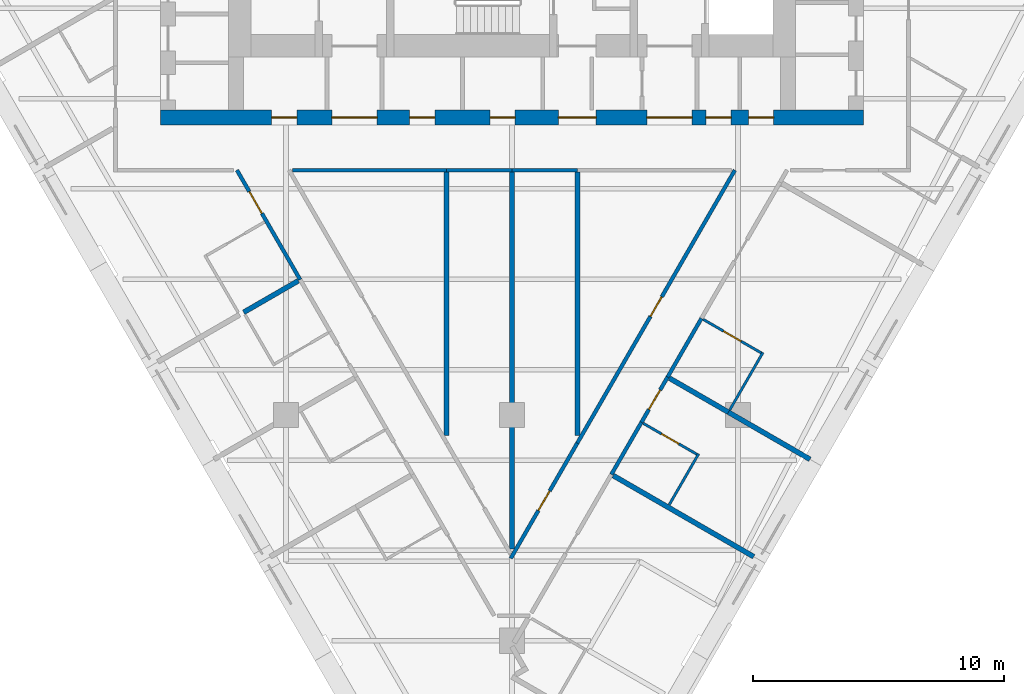
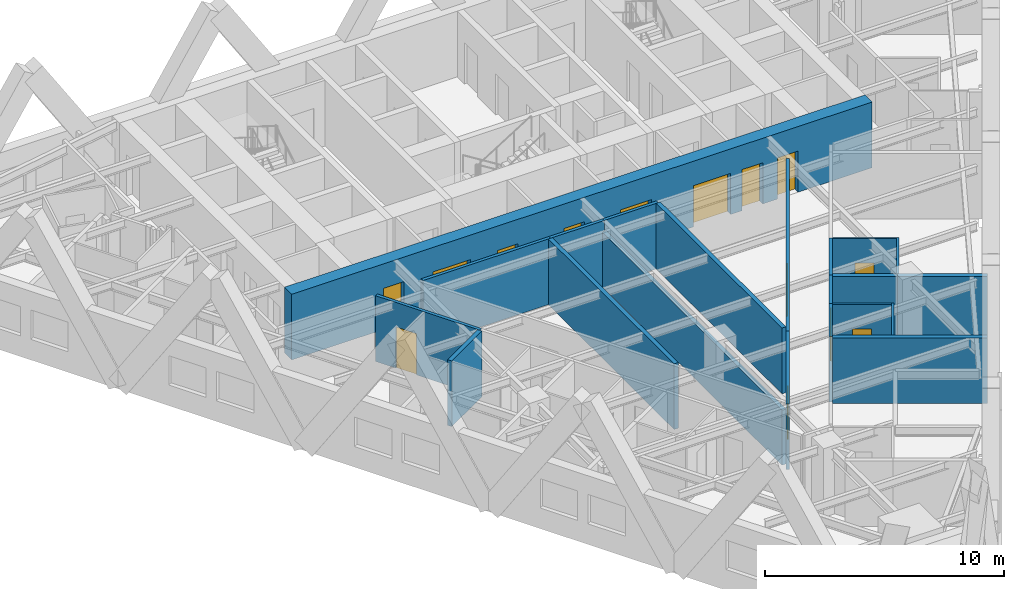
# One storey, part 4 of 11: 21 walls, 14 doors, 14 openings.
"""IFC4 building model written with IfcOpenShell, lengths in metres."""

import ifcopenshell
import ifcopenshell.guid

model = None  # the IFC model being written
_history = None  # IfcOwnerHistory: only IFC2X3 demands one
_inside = {}  # id of a spatial element -> (the spatial element, [elements in it])
_under = {}  # id of a project, library or spatial element -> (it, [spatial elements below it])
_declared = {}  # id of a project -> (the project, [libraries it declares])
_typed = {}  # id of a type object -> (the type object, [elements of that type])
_made_of = {}  # id of a material, layer set ... -> (it, [elements and type objects made of it])


def new_model(schema):
    """Start an empty IFC model of exactly this schema.

    Asked for "IFC4X3", IfcOpenShell would pick the latest addendum, in which some entities
    have other attributes; the version numbers below select the first issue.
    IFC2X3 requires an IfcOwnerHistory on every rooted entity: one is made here for all.
    """
    global model, _history
    if schema == "IFC4X3":
        model = ifcopenshell.file(schema_version=(4, 3, 0, 0))
    else:
        model = ifcopenshell.file(schema=schema)
    _inside.clear()
    _under.clear()
    _declared.clear()
    _typed.clear()
    _made_of.clear()
    _history = None
    if model.schema == "IFC2X3":
        org = make("IfcOrganization", Name="unknown")
        user = make(
            "IfcPersonAndOrganization",
            ThePerson=make("IfcPerson", FamilyName="unknown"),
            TheOrganization=org,
        )
        app = make(
            "IfcApplication",
            ApplicationDeveloper=org,
            Version="unknown",
            ApplicationFullName="unknown",
            ApplicationIdentifier="unknown",
        )
        _history = make(
            "IfcOwnerHistory",
            OwningUser=user,
            OwningApplication=app,
            ChangeAction="ADDED",
            CreationDate=0,
        )
    return model


def make(cls, **values):
    """One entity of the class cls with the attributes given. An attribute that is None is left unset."""
    return model.create_entity(
        cls, **{name: value for name, value in values.items() if value is not None}
    )


def rooted(cls, **values):
    """An entity with a GlobalId (a new one), such as an element, a storey or a relation."""
    return make(cls, GlobalId=ifcopenshell.guid.new(), OwnerHistory=_history, **values)


def si_unit(unit_type, name, prefix=None):
    """IfcSIUnit, for example si_unit("LENGTHUNIT", "METRE", prefix="MILLI")."""
    return make("IfcSIUnit", UnitType=unit_type, Prefix=prefix, Name=name)


def assignment(units):
    """IfcUnitAssignment: the units of a project."""
    return None if units is None else make("IfcUnitAssignment", Units=units)


def point(xyz):
    """IfcCartesianPoint."""
    return None if xyz is None else make("IfcCartesianPoint", Coordinates=xyz)


def direction(xyz):
    """IfcDirection."""
    return None if xyz is None else make("IfcDirection", DirectionRatios=xyz)


def frame(location, z_axis=None, x_axis=None):
    """IfcAxis2Placement3D, a coordinate frame: its origin and axes. An axis left out is left unset."""
    return make(
        "IfcAxis2Placement3D",
        Location=point(location),
        Axis=direction(z_axis),
        RefDirection=direction(x_axis),
    )


def frame_2d(location, x_axis=None):
    """IfcAxis2Placement2D, a coordinate frame in the plane: its origin and x axis."""
    return make(
        "IfcAxis2Placement2D", Location=point(location), RefDirection=direction(x_axis)
    )


def origin():
    """The frame at (0, 0, 0) with its axes left unset."""
    return frame((0.0, 0.0, 0.0))


def place(relative_to, where):
    """IfcLocalPlacement: puts the frame where relative to a parent placement (None: the world)."""
    return make(
        "IfcLocalPlacement", PlacementRelTo=relative_to, RelativePlacement=where
    )


def context(
    kind, dimensions, precision=None, world=None, true_north=None, identifier=None
):
    """IfcGeometricRepresentationContext, for example the 3D "Model" context."""
    return make(
        "IfcGeometricRepresentationContext",
        ContextIdentifier=identifier,
        ContextType=kind,
        CoordinateSpaceDimension=dimensions,
        Precision=precision,
        WorldCoordinateSystem=world,
        TrueNorth=true_north,
    )


def subcontext(parent, identifier, kind, view, scale=None):
    """IfcGeometricRepresentationSubContext, for example "Body" below "Model"."""
    return make(
        "IfcGeometricRepresentationSubContext",
        ContextIdentifier=identifier,
        ContextType=kind,
        ParentContext=parent,
        TargetScale=scale,
        TargetView=view,
    )


def project(units=None, contexts=None):
    """IfcProject with its units and contexts."""
    return rooted(
        "IfcProject",
        Name="project",
        RepresentationContexts=contexts,
        UnitsInContext=assignment(units),
    )


def spatial(cls, under=None, at=None, **own):
    """A site, building, storey or space (cls), placed at a placement, below another one or the project."""
    s = rooted(cls, ObjectPlacement=at, **own)
    if under is not None:
        _under.setdefault(under.id(), (under, []))[1].append(s)
    return s


def profile(cls, at=None, kind="AREA", **sizes):
    """A parametric profile (cls). Its sizes go by their IFC names, for example OverallWidth=200.0."""
    return make(cls, ProfileType=kind, Position=at, **sizes)


def rectangle(**sizes):
    """IfcRectangleProfileDef."""
    return profile("IfcRectangleProfileDef", **sizes)


def extrude(swept, where, along, depth):
    """IfcExtrudedAreaSolid: the profile swept, set in the frame where, extruded along a direction by depth."""
    return make(
        "IfcExtrudedAreaSolid",
        SweptArea=swept,
        Position=where,
        ExtrudedDirection=direction(along),
        Depth=depth,
    )


def shape(context_of_items, identifier, shape_type, items):
    """IfcShapeRepresentation: the items that make up one representation, for example the "Body"."""
    return make(
        "IfcShapeRepresentation",
        ContextOfItems=context_of_items,
        RepresentationIdentifier=identifier,
        RepresentationType=shape_type,
        Items=items,
    )


def material(Name=None, Category=None):
    """IfcMaterial."""
    return make("IfcMaterial", Name=Name, Category=Category)


def layer(
    of_material, thickness, ventilated=None, Name=None, Category=None, Priority=None
):
    """IfcMaterialLayer: one layer of a wall or slab, of a material (None: an air gap)."""
    return make(
        "IfcMaterialLayer",
        Material=of_material,
        LayerThickness=thickness,
        IsVentilated=ventilated,
        Name=Name,
        Category=Category,
        Priority=Priority,
    )


def layer_set(layers, Name=None):
    """IfcMaterialLayerSet."""
    return make("IfcMaterialLayerSet", MaterialLayers=layers, LayerSetName=Name)


def made_of(thing, what):
    """Note that an element or type object is made of a material, layer set ...; save() writes the relation."""
    if what is not None:
        _made_of.setdefault(what.id(), (what, []))[1].append(thing)
    return thing


def type_object(cls, material=None, **own):
    """A type object (cls), such as IfcWallType, which elements share."""
    return made_of(rooted(cls, **own), material)


def element(
    cls,
    number,
    at=None,
    inside=None,
    cuts=None,
    type_object=None,
    material=None,
    context=None,
    identifier="Body",
    shape_type=None,
    held_by="IfcProductDefinitionShape",
    body=None,
    shapes=None,
    **own,
):
    """One element of the class cls, such as IfcWall. Its Tag is "e" and its number.

    at: its placement. inside: the storey or other place that contains it. cuts: it is an
    opening in that element (IfcRelVoidsElement). A single representation is given by context,
    identifier, shape_type and body (its items); several are given by shapes. held_by: the class
    of the entity that holds the representations. save() writes the other relations.
    """
    e = rooted(cls, Tag="e%d" % number, ObjectPlacement=at, **own)
    if body is not None:
        shapes = [shape(context, identifier, shape_type, body)]
    if shapes is not None:
        e.Representation = make(held_by, Representations=shapes)
    if inside is not None:
        _inside.setdefault(inside.id(), (inside, []))[1].append(e)
    if cuts is not None:
        rooted(
            "IfcRelVoidsElement", RelatingBuildingElement=cuts, RelatedOpeningElement=e
        )
    if type_object is not None:
        _typed.setdefault(type_object.id(), (type_object, []))[1].append(e)
    return made_of(e, material)


def fill(opening, filler):
    """IfcRelFillsElement: the door or window that sits in an opening."""
    return rooted(
        "IfcRelFillsElement",
        RelatingOpeningElement=opening,
        RelatedBuildingElement=filler,
    )


def aggregate(whole, parts):
    """IfcRelAggregates: a whole, such as a stair, and the parts it consists of."""
    return rooted("IfcRelAggregates", RelatingObject=whole, RelatedObjects=parts)


def save(model, path):
    """Write the relations noted so far, then the file.

    IfcRelAggregates (storeys below a building ...), IfcRelContainedInSpatialStructure (elements
    in a storey), IfcRelDefinesByType, IfcRelAssociatesMaterial and IfcRelDeclares: one each for
    every whole, place, type object, material and project.
    """
    for whole, parts in _under.values():
        aggregate(whole, parts)
    for where, things in _inside.values():
        rooted(
            "IfcRelContainedInSpatialStructure",
            RelatedElements=things,
            RelatingStructure=where,
        )
    for kind, things in _typed.values():
        rooted("IfcRelDefinesByType", RelatedObjects=things, RelatingType=kind)
    for what, things in _made_of.values():
        rooted("IfcRelAssociatesMaterial", RelatedObjects=things, RelatingMaterial=what)
    for by, libraries in _declared.values():
        rooted("IfcRelDeclares", RelatingContext=by, RelatedDefinitions=libraries)
    model.write(path)


model = new_model("IFC4")

# Units and contexts
model_context = context("Model", 3, precision=1e-05, world=origin(), true_north=direction((0.0, 1.0)))
body_context = subcontext(model_context, "Body", "Model", "MODEL_VIEW")
ifc_project = project(units=[si_unit("LENGTHUNIT", "METRE"), si_unit("AREAUNIT", "SQUARE_METRE"), si_unit("VOLUMEUNIT", "CUBIC_METRE"), si_unit("PLANEANGLEUNIT", "RADIAN"), si_unit("MASSUNIT", "GRAM", prefix="KILO")], contexts=[model_context])

# Site, building, storey
site_placement = place(None, origin())
site = spatial("IfcSite", under=ifc_project, at=site_placement, CompositionType="ELEMENT")
building_placement = place(site_placement, origin())
building = spatial("IfcBuilding", under=site, at=building_placement, Name="Aloe Facet Convention Tower", CompositionType="ELEMENT")
storey_placement = place(building_placement, frame((0.0, 0.0, 63.0)))
storey = spatial("IfcBuildingStorey", under=building, at=storey_placement, Name="L14", CompositionType="ELEMENT", Elevation=63.0)

# Wall, openings, doors
ifc_material_1 = material(Name="Concrete C80/95", Category="concrete")
ifc_layer_1 = layer(ifc_material_1, 0.60009765625)
ifc_layer_set_1 = layer_set([ifc_layer_1], Name="CR-W-RC600-C8095")
wall_type_1 = type_object("IfcWallType", Name="CR-W-RC600-C8095", PredefinedType="SOLIDWALL", material=ifc_layer_set_1)
wall_1_placement = place(storey_placement, frame((66.0, 119.85009765625, 0.0), z_axis=(0.0, 0.0, 1.0), x_axis=(1.0, 0.0, 0.0)))
wall_1 = element("IfcWall", 1, at=wall_1_placement, inside=storey, type_object=wall_type_1, Name="Core wall L14-003", PredefinedType="SOLIDWALL", context=body_context, shape_type="SweptSolid", body=[
    extrude(rectangle(XDim=28.0, YDim=0.60009765625, at=frame_2d((14.0, 0.0))), origin(), (0.0, 0.0, 1.0), 3.35009765625),
])
opening_1_placement = place(wall_1_placement, frame((6.824951171875, 0.0, 0.0)))
opening_1 = element("IfcOpeningElement", 2, at=opening_1_placement, cuts=wall_1, Name="Opening L14-CD17", PredefinedType="OPENING", context=body_context, shape_type="SweptSolid", body=[
    extrude(rectangle(XDim=1.800048828125, YDim=2.10009765625, at=frame_2d((0.89990234375, 1.050048828125))), frame((0.0, 0.31005859375, 0.0), z_axis=(0.0, -1.0, 0.0), x_axis=(1.0, 0.0, 0.0)), (0.0, 0.0, 1.0), 0.6201171875),
])
opening_2_placement = place(wall_1_placement, frame((15.85009765625, 0.0, 0.0)))
opening_2 = element("IfcOpeningElement", 3, at=opening_2_placement, cuts=wall_1, Name="Opening L14-CD18", PredefinedType="OPENING", context=body_context, shape_type="SweptSolid", body=[
    extrude(rectangle(XDim=1.5, YDim=2.10009765625, at=frame_2d((0.75, 1.050048828125))), frame((0.0, 0.31005859375, 0.0), z_axis=(0.0, -1.0, 0.0), x_axis=(1.0, 0.0, 0.0)), (0.0, 0.0, 1.0), 0.6201171875),
])
opening_3_placement = place(wall_1_placement, frame((19.375, 0.0, 0.0)))
opening_3 = element("IfcOpeningElement", 4, at=opening_3_placement, cuts=wall_1, Name="Opening L14-CD19", PredefinedType="OPENING", context=body_context, shape_type="SweptSolid", body=[
    extrude(rectangle(XDim=1.800048828125, YDim=2.10009765625, at=frame_2d((0.89990234375, 1.050048828125))), frame((0.0, 0.31005859375, 0.0), z_axis=(0.0, -1.0, 0.0), x_axis=(1.0, 0.0, 0.0)), (0.0, 0.0, 1.0), 0.6201171875),
])
opening_4_placement = place(wall_1_placement, frame((4.425048828125, 0.0, 0.0)))
opening_4 = element("IfcOpeningElement", 5, at=opening_4_placement, cuts=wall_1, Name="Opening L14-CD24", PredefinedType="OPENING", context=body_context, shape_type="SweptSolid", body=[
    extrude(rectangle(XDim=1.0, YDim=2.10009765625, at=frame_2d((0.5, 1.050048828125))), frame((0.0, 0.31005859375, 0.0), z_axis=(0.0, -1.0, 0.0), x_axis=(1.0, 0.0, 0.0)), (0.0, 0.0, 1.0), 0.6201171875),
])
opening_5_placement = place(wall_1_placement, frame((9.925048828125, 0.0, 0.0)))
opening_5 = element("IfcOpeningElement", 6, at=opening_5_placement, cuts=wall_1, Name="Opening L14-CD25", PredefinedType="OPENING", context=body_context, shape_type="SweptSolid", body=[
    extrude(rectangle(XDim=1.0, YDim=2.10009765625, at=frame_2d((0.5, 1.050048828125))), frame((0.0, 0.31005859375, 0.0), z_axis=(0.0, -1.0, 0.0), x_axis=(1.0, 0.0, 0.0)), (0.0, 0.0, 1.0), 0.6201171875),
])
opening_6_placement = place(wall_1_placement, frame((13.125, 0.0, 0.0)))
opening_6 = element("IfcOpeningElement", 7, at=opening_6_placement, cuts=wall_1, Name="Opening L14-CD26", PredefinedType="OPENING", context=body_context, shape_type="SweptSolid", body=[
    extrude(rectangle(XDim=1.0, YDim=2.10009765625, at=frame_2d((0.5, 1.050048828125))), frame((0.0, 0.31005859375, 0.0), z_axis=(0.0, -1.0, 0.0), x_axis=(1.0, 0.0, 0.0)), (0.0, 0.0, 1.0), 0.6201171875),
])
opening_7_placement = place(wall_1_placement, frame((21.72509765625, 0.0, 0.0)))
opening_7 = element("IfcOpeningElement", 8, at=opening_7_placement, cuts=wall_1, Name="Opening L14-CD28", PredefinedType="OPENING", context=body_context, shape_type="SweptSolid", body=[
    extrude(rectangle(XDim=1.0, YDim=2.10009765625, at=frame_2d((0.5, 1.050048828125))), frame((0.0, 0.31005859375, 0.0), z_axis=(0.0, -1.0, 0.0), x_axis=(1.0, 0.0, 0.0)), (0.0, 0.0, 1.0), 0.6201171875),
])
opening_8_placement = place(wall_1_placement, frame((23.425048828125, 0.0, 0.0)))
opening_8 = element("IfcOpeningElement", 9, at=opening_8_placement, cuts=wall_1, Name="Opening L14-CD29", PredefinedType="OPENING", context=body_context, shape_type="SweptSolid", body=[
    extrude(rectangle(XDim=1.0, YDim=2.10009765625, at=frame_2d((0.5, 1.050048828125))), frame((0.0, 0.31005859375, 0.0), z_axis=(0.0, -1.0, 0.0), x_axis=(1.0, 0.0, 0.0)), (0.0, 0.0, 1.0), 0.6201171875),
])
ifc_material_2 = material(Name="Steel fire-resisting door set FD60", Category="steel")
door_type_1 = type_object("IfcDoorType", Name="CR-D-EXIT-1500-FD60-DD", OperationType="DOUBLE_DOOR_DOUBLE_SWING", PredefinedType="DOOR", material=ifc_material_2)
door_1_placement = place(opening_2_placement, origin())
door_1 = element("IfcDoor", 10, at=door_1_placement, inside=storey, type_object=door_type_1, Name="Core door L14-CD18", OperationType="DOUBLE_DOOR_DOUBLE_SWING", OverallHeight=2.10009765625, OverallWidth=1.5, PredefinedType="DOOR", context=body_context, shape_type="SweptSolid", body=[
    extrude(rectangle(XDim=1.5, YDim=2.10009765625, at=frame_2d((0.75, 1.050048828125))), frame((0.0, 0.02490234375, 0.0), z_axis=(0.0, -1.0, 0.0), x_axis=(1.0, 0.0, 0.0)), (0.0, 0.0, 1.0), 0.050048828125),
])
fill(opening_2, door_1)
ifc_material_3 = material(Name="Steel fire-resisting door set FD60", Category="steel")
door_type_2 = type_object("IfcDoorType", Name="CR-D-EXIT-1800-FD60-DD", OperationType="DOUBLE_DOOR_DOUBLE_SWING", PredefinedType="DOOR", material=ifc_material_3)
door_2_placement = place(opening_1_placement, origin())
door_2 = element("IfcDoor", 11, at=door_2_placement, inside=storey, type_object=door_type_2, Name="Core door L14-CD17", OperationType="DOUBLE_DOOR_DOUBLE_SWING", OverallHeight=2.10009765625, OverallWidth=1.800048828125, PredefinedType="DOOR", context=body_context, shape_type="SweptSolid", body=[
    extrude(rectangle(XDim=1.800048828125, YDim=2.10009765625, at=frame_2d((0.89990234375, 1.050048828125))), frame((0.0, 0.02490234375, 0.0), z_axis=(0.0, -1.0, 0.0), x_axis=(1.0, 0.0, 0.0)), (0.0, 0.0, 1.0), 0.050048828125),
])
fill(opening_1, door_2)
door_3_placement = place(opening_3_placement, origin())
door_3 = element("IfcDoor", 12, at=door_3_placement, inside=storey, type_object=door_type_2, Name="Core door L14-CD19", OperationType="DOUBLE_DOOR_DOUBLE_SWING", OverallHeight=2.10009765625, OverallWidth=1.800048828125, PredefinedType="DOOR", context=body_context, shape_type="SweptSolid", body=[
    extrude(rectangle(XDim=1.800048828125, YDim=2.10009765625, at=frame_2d((0.89990234375, 1.050048828125))), frame((0.0, 0.02490234375, 0.0), z_axis=(0.0, -1.0, 0.0), x_axis=(1.0, 0.0, 0.0)), (0.0, 0.0, 1.0), 0.050048828125),
])
fill(opening_3, door_3)
ifc_material_4 = material(Name="Steel fire-resisting door set FD60", Category="steel")
door_type_3 = type_object("IfcDoorType", Name="CR-D-ROOM-1000-FD60-SRIGHT", OperationType="SINGLE_SWING_RIGHT", PredefinedType="DOOR", material=ifc_material_4)
door_4_placement = place(opening_4_placement, origin())
door_4 = element("IfcDoor", 13, at=door_4_placement, inside=storey, type_object=door_type_3, Name="Core door L14-CD24", OperationType="SINGLE_SWING_RIGHT", OverallHeight=2.10009765625, OverallWidth=1.0, PredefinedType="DOOR", context=body_context, shape_type="SweptSolid", body=[
    extrude(rectangle(XDim=1.0, YDim=2.10009765625, at=frame_2d((0.5, 1.050048828125))), frame((0.0, 0.02490234375, 0.0), z_axis=(0.0, -1.0, 0.0), x_axis=(1.0, 0.0, 0.0)), (0.0, 0.0, 1.0), 0.050048828125),
])
fill(opening_4, door_4)
door_5_placement = place(opening_5_placement, origin())
door_5 = element("IfcDoor", 14, at=door_5_placement, inside=storey, type_object=door_type_3, Name="Core door L14-CD25", OperationType="SINGLE_SWING_RIGHT", OverallHeight=2.10009765625, OverallWidth=1.0, PredefinedType="DOOR", context=body_context, shape_type="SweptSolid", body=[
    extrude(rectangle(XDim=1.0, YDim=2.10009765625, at=frame_2d((0.5, 1.050048828125))), frame((0.0, 0.02490234375, 0.0), z_axis=(0.0, -1.0, 0.0), x_axis=(1.0, 0.0, 0.0)), (0.0, 0.0, 1.0), 0.050048828125),
])
fill(opening_5, door_5)
door_6_placement = place(opening_6_placement, origin())
door_6 = element("IfcDoor", 15, at=door_6_placement, inside=storey, type_object=door_type_3, Name="Core door L14-CD26", OperationType="SINGLE_SWING_RIGHT", OverallHeight=2.10009765625, OverallWidth=1.0, PredefinedType="DOOR", context=body_context, shape_type="SweptSolid", body=[
    extrude(rectangle(XDim=1.0, YDim=2.10009765625, at=frame_2d((0.5, 1.050048828125))), frame((0.0, 0.02490234375, 0.0), z_axis=(0.0, -1.0, 0.0), x_axis=(1.0, 0.0, 0.0)), (0.0, 0.0, 1.0), 0.050048828125),
])
fill(opening_6, door_6)
door_7_placement = place(opening_7_placement, origin())
door_7 = element("IfcDoor", 16, at=door_7_placement, inside=storey, type_object=door_type_3, Name="Core door L14-CD28", OperationType="SINGLE_SWING_RIGHT", OverallHeight=2.10009765625, OverallWidth=1.0, PredefinedType="DOOR", context=body_context, shape_type="SweptSolid", body=[
    extrude(rectangle(XDim=1.0, YDim=2.10009765625, at=frame_2d((0.5, 1.050048828125))), frame((0.0, 0.02490234375, 0.0), z_axis=(0.0, -1.0, 0.0), x_axis=(1.0, 0.0, 0.0)), (0.0, 0.0, 1.0), 0.050048828125),
])
fill(opening_7, door_7)
door_8_placement = place(opening_8_placement, origin())
door_8 = element("IfcDoor", 17, at=door_8_placement, inside=storey, type_object=door_type_3, Name="Core door L14-CD29", OperationType="SINGLE_SWING_RIGHT", OverallHeight=2.10009765625, OverallWidth=1.0, PredefinedType="DOOR", context=body_context, shape_type="SweptSolid", body=[
    extrude(rectangle(XDim=1.0, YDim=2.10009765625, at=frame_2d((0.5, 1.050048828125))), frame((0.0, 0.02490234375, 0.0), z_axis=(0.0, -1.0, 0.0), x_axis=(1.0, 0.0, 0.0)), (0.0, 0.0, 1.0), 0.050048828125),
])
fill(opening_8, door_8)

# Wall, opening, door
ifc_material_5 = material(Name="Gypsum board partition on steel studs", Category="steel")
ifc_layer_2 = layer(ifc_material_5, 0.14990234375)
ifc_layer_set_2 = layer_set([ifc_layer_2], Name="IN-W-CORR")
wall_type_2 = type_object("IfcWallType", Name="IN-W-CORR", PredefinedType="PARTITIONING", material=ifc_layer_set_2)
wall_2_placement = place(storey_placement, frame((79.949951171875, 102.283935546875, 0.0), z_axis=(0.0, 0.0, 1.0), x_axis=(0.500026712466, 0.866009980786, 0.0)))
wall_2 = element("IfcWall", 18, at=wall_2_placement, inside=storey, type_object=wall_type_2, Name="Partition L14-W014", PredefinedType="PARTITIONING", context=body_context, shape_type="SweptSolid", body=[
    extrude(rectangle(XDim=5.302001953125, YDim=0.14990234375, at=frame_2d((2.65087890625, 0.0))), origin(), (0.0, 0.0, 1.0), 3.35009765625),
])
opening_9_placement = place(wall_2_placement, frame((2.200927734375, 0.0, 0.0)))
opening_9 = element("IfcOpeningElement", 19, at=opening_9_placement, cuts=wall_2, Name="Opening L14-016", PredefinedType="OPENING", context=body_context, shape_type="SweptSolid", body=[
    extrude(rectangle(XDim=0.89990234375, YDim=2.10009765625, at=frame_2d((0.449951171875, 1.050048828125))), frame((0.0, 0.0849609375, 0.0), z_axis=(0.0, -1.0, 0.0), x_axis=(1.0, 0.0, 0.0)), (0.0, 0.0, 1.0), 0.169921875),
])
ifc_material_6 = material(Name="Hardwood flush door FD30S", Category="wood")
door_type_4 = type_object("IfcDoorType", Name="IN-D-GUEST", OperationType="SINGLE_SWING_LEFT", PredefinedType="DOOR", material=ifc_material_6)
door_9_placement = place(opening_9_placement, origin())
door_9 = element("IfcDoor", 20, at=door_9_placement, inside=storey, type_object=door_type_4, Name="Door L14-016", OperationType="SINGLE_SWING_LEFT", OverallHeight=2.10009765625, OverallWidth=0.89990234375, PredefinedType="DOOR", context=body_context, shape_type="SweptSolid", body=[
    extrude(rectangle(XDim=0.89990234375, YDim=2.10009765625, at=frame_2d((0.449951171875, 1.050048828125))), frame((0.0, 0.02490234375, 0.0), z_axis=(0.0, -1.0, 0.0), x_axis=(1.0, 0.0, 0.0)), (0.0, 0.0, 1.0), 0.050048828125),
])
fill(opening_9, door_9)

# Wall
wall_3_placement = place(storey_placement, frame((83.957763671875, 105.625732421875, 0.0), z_axis=(0.0, 0.0, 1.0), x_axis=(0.500001309137, 0.866024647952, 0.0)))
element("IfcWall", 21, at=wall_3_placement, inside=storey, type_object=wall_type_2, Name="Partition L14-W025", PredefinedType="PARTITIONING", context=body_context, shape_type="SweptSolid", body=[
    extrude(rectangle(XDim=2.39990234375, YDim=0.14990234375, at=frame_2d((1.199951171875, 0.0))), origin(), (0.0, 0.0, 1.0), 3.35009765625),
])

# Wall, opening, door
wall_4_placement = place(storey_placement, frame((82.60107421875, 106.87548828125, 0.0), z_axis=(0.0, 0.0, 1.0), x_axis=(0.499995104884, 0.866028229963, 0.0)))
wall_4 = element("IfcWall", 22, at=wall_4_placement, inside=storey, type_object=wall_type_2, Name="Partition L14-W033", PredefinedType="PARTITIONING", context=body_context, shape_type="SweptSolid", body=[
    extrude(rectangle(XDim=12.556884765625, YDim=0.14990234375, at=frame_2d((6.2783203125, 0.0))), origin(), (0.0, 0.0, 1.0), 3.35009765625),
])
opening_10_placement = place(wall_4_placement, frame((5.828369140625, 0.0, 0.0)))
opening_10 = element("IfcOpeningElement", 23, at=opening_10_placement, cuts=wall_4, Name="Opening L14-017", PredefinedType="OPENING", context=body_context, shape_type="SweptSolid", body=[
    extrude(rectangle(XDim=0.89990234375, YDim=2.10009765625, at=frame_2d((0.449951171875, 1.050048828125))), frame((0.0, 0.0849609375, 0.0), z_axis=(0.0, -1.0, 0.0), x_axis=(1.0, 0.0, 0.0)), (0.0, 0.0, 1.0), 0.169921875),
])
door_10_placement = place(opening_10_placement, origin())
door_10 = element("IfcDoor", 24, at=door_10_placement, inside=storey, type_object=door_type_4, Name="Door L14-017", OperationType="SINGLE_SWING_LEFT", OverallHeight=2.10009765625, OverallWidth=0.89990234375, PredefinedType="DOOR", context=body_context, shape_type="SweptSolid", body=[
    extrude(rectangle(XDim=0.89990234375, YDim=2.10009765625, at=frame_2d((0.449951171875, 1.050048828125))), frame((0.0, 0.02490234375, 0.0), z_axis=(0.0, -1.0, 0.0), x_axis=(1.0, 0.0, 0.0)), (0.0, 0.0, 1.0), 0.050048828125),
])
fill(opening_10, door_10)

wall_5_placement = place(storey_placement, frame((85.15771484375, 107.7041015625, 0.0), z_axis=(0.0, 0.0, 1.0), x_axis=(0.500027264788, 0.866009661879, 0.0)))
wall_5 = element("IfcWall", 25, at=wall_5_placement, inside=storey, type_object=wall_type_2, Name="Partition L14-W042", PredefinedType="PARTITIONING", context=body_context, shape_type="SweptSolid", body=[
    extrude(rectangle(XDim=2.080078125, YDim=0.14990234375, at=frame_2d((1.0400390625, 0.0))), origin(), (0.0, 0.0, 1.0), 3.35009765625),
])
opening_11_placement = place(wall_5_placement, frame((0.590087890625, 0.0, 0.0)))
opening_11 = element("IfcOpeningElement", 26, at=opening_11_placement, cuts=wall_5, Name="Opening L14-010", PredefinedType="OPENING", context=body_context, shape_type="SweptSolid", body=[
    extrude(rectangle(XDim=0.89990234375, YDim=2.10009765625, at=frame_2d((0.449951171875, 1.050048828125))), frame((0.0, 0.0849609375, 0.0), z_axis=(0.0, -1.0, 0.0), x_axis=(1.0, 0.0, 0.0)), (0.0, 0.0, 1.0), 0.169921875),
])
door_11_placement = place(opening_11_placement, origin())
door_11 = element("IfcDoor", 27, at=door_11_placement, inside=storey, type_object=door_type_4, Name="Door L14-010", OperationType="SINGLE_SWING_LEFT", OverallHeight=2.10009765625, OverallWidth=0.89990234375, PredefinedType="DOOR", context=body_context, shape_type="SweptSolid", body=[
    extrude(rectangle(XDim=0.89990234375, YDim=2.10009765625, at=frame_2d((0.449951171875, 1.050048828125))), frame((0.0, 0.02490234375, 0.0), z_axis=(0.0, -1.0, 0.0), x_axis=(1.0, 0.0, 0.0)), (0.0, 0.0, 1.0), 0.050048828125),
])
fill(opening_11, door_11)

# Wall
wall_6_placement = place(storey_placement, frame((86.19775390625, 109.50537109375, 0.0), z_axis=(0.0, 0.0, 1.0), x_axis=(0.50000943426, 0.866019956843, 0.0)))
element("IfcWall", 28, at=wall_6_placement, inside=storey, type_object=wall_type_2, Name="Partition L14-W043", PredefinedType="PARTITIONING", context=body_context, shape_type="SweptSolid", body=[
    extrude(rectangle(XDim=2.7001953125, YDim=0.14990234375, at=frame_2d((1.35009765625, 0.0))), origin(), (0.0, 0.0, 1.0), 3.35009765625),
])

# Wall, opening, door
wall_7_placement = place(storey_placement, frame((69.042236328125, 117.75, 0.0), z_axis=(0.0, 0.0, 1.0), x_axis=(0.500004791531, -0.866022637375, 0.0)))
wall_7 = element("IfcWall", 29, at=wall_7_placement, inside=storey, type_object=wall_type_2, Name="Partition L14-W053", PredefinedType="PARTITIONING", context=body_context, shape_type="SweptSolid", body=[
    extrude(rectangle(XDim=5.0400390625, YDim=0.14990234375, at=frame_2d((2.52001953125, 0.0))), origin(), (0.0, 0.0, 1.0), 3.35009765625),
])
opening_12_placement = place(wall_7_placement, frame((0.988037109375, 0.0, 0.0)))
opening_12 = element("IfcOpeningElement", 30, at=opening_12_placement, cuts=wall_7, Name="Opening L14-005", PredefinedType="OPENING", context=body_context, shape_type="SweptSolid", body=[
    extrude(rectangle(XDim=1.0, YDim=2.10009765625, at=frame_2d((0.5, 1.050048828125))), frame((0.0, 0.0849609375, 0.0), z_axis=(0.0, -1.0, 0.0), x_axis=(1.0, 0.0, 0.0)), (0.0, 0.0, 1.0), 0.169921875),
])
ifc_material_7 = material(Name="Hardwood flush door FD30S", Category="wood")
door_type_5 = type_object("IfcDoorType", Name="IN-D-WIDE", OperationType="SINGLE_SWING_LEFT", PredefinedType="DOOR", material=ifc_material_7)
door_12_placement = place(opening_12_placement, origin())
door_12 = element("IfcDoor", 31, at=door_12_placement, inside=storey, type_object=door_type_5, Name="Door L14-005", OperationType="SINGLE_SWING_LEFT", OverallHeight=2.10009765625, OverallWidth=1.0, PredefinedType="DOOR", context=body_context, shape_type="SweptSolid", body=[
    extrude(rectangle(XDim=1.0, YDim=2.10009765625, at=frame_2d((0.5, 1.050048828125))), frame((0.0, 0.02490234375, 0.0), z_axis=(0.0, -1.0, 0.0), x_axis=(1.0, 0.0, 0.0)), (0.0, 0.0, 1.0), 0.050048828125),
])
fill(opening_12, door_12)

# Walls
wall_8_placement = place(storey_placement, frame((71.25048828125, 117.75, 0.0), z_axis=(0.0, 0.0, 1.0), x_axis=(1.0, 0.0, 0.0)))
element("IfcWall", 32, at=wall_8_placement, inside=storey, type_object=wall_type_2, Name="Partition L14-W063", PredefinedType="PARTITIONING", context=body_context, shape_type="SweptSolid", body=[
    extrude(rectangle(XDim=6.1484375, YDim=0.14990234375, at=frame_2d((3.07421875, 0.0))), origin(), (0.0, 0.0, 1.0), 3.35009765625),
])
for number, where, z_axis, x_axis, name in (
    (33, (77.39892578125, 117.75, 0.0), (0.0, 0.0, 1.0), (1.0, 0.0, 0.0), "Partition L14-W064"),
    (34, (80.0, 117.75, 0.0), (0.0, 0.0, 1.0), (1.0, 0.0, 0.0), "Partition L14-W065"),
):
    element("IfcWall", number, at=place(storey_placement, frame(where, z_axis=z_axis, x_axis=x_axis)), inside=storey, type_object=wall_type_2, Name=name, PredefinedType="PARTITIONING", context=body_context, shape_type="SweptSolid", body=[
        extrude(rectangle(XDim=2.60107421875, YDim=0.14990234375, at=frame_2d((1.300537109375, 0.0))), origin(), (0.0, 0.0, 1.0), 3.35009765625),
    ])
ifc_material_8 = material(Name="Gypsum board partition on steel studs", Category="steel")
ifc_layer_3 = layer(ifc_material_8, 0.10009765625)
ifc_layer_set_3 = layer_set([ifc_layer_3], Name="IN-W-PART")
wall_type_3 = type_object("IfcWallType", Name="IN-W-PART", PredefinedType="PARTITIONING", material=ifc_layer_set_3)
wall_9_placement = place(storey_placement, frame((86.264404296875, 104.4208984375, 0.0), z_axis=(0.0, 0.0, 1.0), x_axis=(0.500032503492, 0.866006637072, 0.0)))
element("IfcWall", 35, at=wall_9_placement, inside=storey, type_object=wall_type_3, Name="Partition L14-W029", PredefinedType="PARTITIONING", context=body_context, shape_type="SweptSolid", body=[
    extrude(rectangle(XDim=2.340087890625, YDim=0.10009765625, at=frame_2d((1.169921875, 0.0))), origin(), (0.0, 0.0, 1.0), 3.35009765625),
])

# Wall, opening, door
wall_10_placement = place(storey_placement, frame((85.2314453125, 107.66162109375, 0.0), z_axis=(0.0, 0.0, 1.0), x_axis=(0.866040446274, -0.499973944738, 0.0)))
wall_10 = element("IfcWall", 36, at=wall_10_placement, inside=storey, type_object=wall_type_3, Name="Partition L14-W035", PredefinedType="PARTITIONING", context=body_context, shape_type="SweptSolid", body=[
    extrude(rectangle(XDim=2.465087890625, YDim=0.10009765625, at=frame_2d((1.232421875, 0.0))), origin(), (0.0, 0.0, 1.0), 3.35009765625),
])
opening_13_placement = place(wall_10_placement, frame((0.83251953125, 0.0, 0.0)))
opening_13 = element("IfcOpeningElement", 37, at=opening_13_placement, cuts=wall_10, Name="Opening L14-027", PredefinedType="OPENING", context=body_context, shape_type="SweptSolid", body=[
    extrude(rectangle(XDim=0.800048828125, YDim=2.10009765625, at=frame_2d((0.39990234375, 1.050048828125))), frame((0.0, 0.06005859375, 0.0), z_axis=(0.0, -1.0, 0.0), x_axis=(1.0, 0.0, 0.0)), (0.0, 0.0, 1.0), 0.1201171875),
])
ifc_material_9 = material(Name="Timber flush door", Category="wood")
door_type_6 = type_object("IfcDoorType", Name="IN-D-BATH", OperationType="SINGLE_SWING_LEFT", PredefinedType="DOOR", material=ifc_material_9)
door_13_placement = place(opening_13_placement, origin())
door_13 = element("IfcDoor", 38, at=door_13_placement, inside=storey, type_object=door_type_6, Name="Door L14-027", OperationType="SINGLE_SWING_LEFT", OverallHeight=2.10009765625, OverallWidth=0.800048828125, PredefinedType="DOOR", context=body_context, shape_type="SweptSolid", body=[
    extrude(rectangle(XDim=0.800048828125, YDim=2.10009765625, at=frame_2d((0.39990234375, 1.050048828125))), frame((0.0, 0.02490234375, 0.0), z_axis=(0.0, -1.0, 0.0), x_axis=(1.0, 0.0, 0.0)), (0.0, 0.0, 1.0), 0.050048828125),
])
fill(opening_13, door_13)

# Wall
wall_11_placement = place(storey_placement, frame((88.677734375, 108.20068359375, 0.0), z_axis=(0.0, 0.0, 1.0), x_axis=(0.500007957085, 0.86602080971, 0.0)))
element("IfcWall", 39, at=wall_11_placement, inside=storey, type_object=wall_type_3, Name="Partition L14-W046", PredefinedType="PARTITIONING", context=body_context, shape_type="SweptSolid", body=[
    extrude(rectangle(XDim=2.64013671875, YDim=0.10009765625, at=frame_2d((1.320068359375, 0.0))), origin(), (0.0, 0.0, 1.0), 3.35009765625),
])

# Wall, opening, door
wall_12_placement = place(storey_placement, frame((87.621337890625, 111.80126953125, 0.0), z_axis=(0.0, 0.0, 1.0), x_axis=(0.866036091453, -0.499981487958, 0.0)))
wall_12 = element("IfcWall", 40, at=wall_12_placement, inside=storey, type_object=wall_type_3, Name="Partition L14-W048", PredefinedType="PARTITIONING", context=body_context, shape_type="SweptSolid", body=[
    extrude(rectangle(XDim=2.6650390625, YDim=0.10009765625, at=frame_2d((1.33251953125, 0.0))), origin(), (0.0, 0.0, 1.0), 3.35009765625),
])
opening_14_placement = place(wall_12_placement, frame((0.9326171875, 0.0, 0.0)))
opening_14 = element("IfcOpeningElement", 41, at=opening_14_placement, cuts=wall_12, Name="Opening L14-028", PredefinedType="OPENING", context=body_context, shape_type="SweptSolid", body=[
    extrude(rectangle(XDim=0.800048828125, YDim=2.10009765625, at=frame_2d((0.39990234375, 1.050048828125))), frame((0.0, 0.06005859375, 0.0), z_axis=(0.0, -1.0, 0.0), x_axis=(1.0, 0.0, 0.0)), (0.0, 0.0, 1.0), 0.1201171875),
])
door_14_placement = place(opening_14_placement, origin())
door_14 = element("IfcDoor", 42, at=door_14_placement, inside=storey, type_object=door_type_6, Name="Door L14-028", OperationType="SINGLE_SWING_LEFT", OverallHeight=2.10009765625, OverallWidth=0.800048828125, PredefinedType="DOOR", context=body_context, shape_type="SweptSolid", body=[
    extrude(rectangle(XDim=0.800048828125, YDim=2.10009765625, at=frame_2d((0.39990234375, 1.050048828125))), frame((0.0, 0.02490234375, 0.0), z_axis=(0.0, -1.0, 0.0), x_axis=(1.0, 0.0, 0.0)), (0.0, 0.0, 1.0), 0.050048828125),
])
fill(opening_14, door_14)

# Walls
ifc_material_10 = material(Name="Gypsum board partition on steel studs", Category="steel")
ifc_layer_4 = layer(ifc_material_10, 0.199951171875)
ifc_layer_set_4 = layer_set([ifc_layer_4], Name="IN-W-PARTY")
wall_type_4 = type_object("IfcWallType", Name="IN-W-PARTY", PredefinedType="PARTITIONING", material=ifc_layer_set_4)
wall_13_placement = place(storey_placement, frame((84.031494140625, 105.583251953125, 0.0), z_axis=(0.0, 0.0, 1.0), x_axis=(0.866015162859, -0.500017737384, 0.0)))
element("IfcWall", 43, at=wall_13_placement, inside=storey, type_object=wall_type_4, Name="Partition L14-W013", PredefinedType="PARTITIONING", context=body_context, shape_type="SweptSolid", body=[
    extrude(rectangle(XDim=6.465087890625, YDim=0.199951171875, at=frame_2d((3.232421875, 0.0))), origin(), (0.0, 0.0, 1.0), 3.35009765625),
])
wall_14_placement = place(storey_placement, frame((80.0, 102.66552734375, 0.0), z_axis=(0.0, 0.0, 1.0), x_axis=(0.0, 1.0, 0.0)))
element("IfcWall", 44, at=wall_14_placement, inside=storey, type_object=wall_type_4, Name="Partition L14-W015", PredefinedType="PARTITIONING", context=body_context, shape_type="SweptSolid", body=[
    extrude(rectangle(XDim=15.009521484375, YDim=0.199951171875, at=frame_2d((7.5048828125, 0.0))), origin(), (0.0, 0.0, 1.0), 2.800537109375),
])
wall_15_placement = place(storey_placement, frame((88.622802734375, 108.10546875, 0.0), z_axis=(0.0, 0.0, 1.0), x_axis=(0.866022959057, -0.500004234368, 0.0)))
element("IfcWall", 45, at=wall_15_placement, inside=storey, type_object=wall_type_4, Name="Partition L14-W028", PredefinedType="PARTITIONING", context=body_context, shape_type="SweptSolid", body=[
    extrude(rectangle(XDim=3.75, YDim=0.199951171875, at=frame_2d((1.875, 0.0))), origin(), (0.0, 0.0, 1.0), 3.35009765625),
])
for number, where, z_axis, x_axis, name in (
    (46, (77.39892578125, 107.170654296875, 0.0), (0.0, 0.0, 1.0), (0.0, 1.0, 0.0), "Partition L14-W031"),
    (47, (82.60107421875, 107.170654296875, 0.0), (0.0, 0.0, 1.0), (0.0, 1.0, 0.0), "Partition L14-W032"),
):
    element("IfcWall", number, at=place(storey_placement, frame(where, z_axis=z_axis, x_axis=x_axis)), inside=storey, type_object=wall_type_4, Name=name, PredefinedType="PARTITIONING", context=body_context, shape_type="SweptSolid", body=[
        extrude(rectangle(XDim=10.50439453125, YDim=0.199951171875, at=frame_2d((5.252197265625, 0.0))), origin(), (0.0, 0.0, 1.0), 3.35009765625),
    ])
wall_16_placement = place(storey_placement, frame((86.271484375, 109.462890625, 0.0), z_axis=(0.0, 0.0, 1.0), x_axis=(0.866043331744, -0.499968946578, 0.0)))
element("IfcWall", 48, at=wall_16_placement, inside=storey, type_object=wall_type_4, Name="Partition L14-W036", PredefinedType="PARTITIONING", context=body_context, shape_type="SweptSolid", body=[
    extrude(rectangle(XDim=2.715087890625, YDim=0.199951171875, at=frame_2d((1.357421875, 0.0))), origin(), (0.0, 0.0, 1.0), 3.35009765625),
])
wall_17_placement = place(storey_placement, frame((69.310546875, 112.085205078125, 0.0), z_axis=(0.0, 0.0, 1.0), x_axis=(0.866006140796, 0.500033362991, 0.0)))
element("IfcWall", 49, at=wall_17_placement, inside=storey, type_object=wall_type_4, Name="Partition L14-W050", PredefinedType="PARTITIONING", context=body_context, shape_type="SweptSolid", body=[
    extrude(rectangle(XDim=2.514892578125, YDim=0.199951171875, at=frame_2d((1.25732421875, 0.0))), origin(), (0.0, 0.0, 1.0), 3.35009765625),
])

save(model, "model.ifc")
